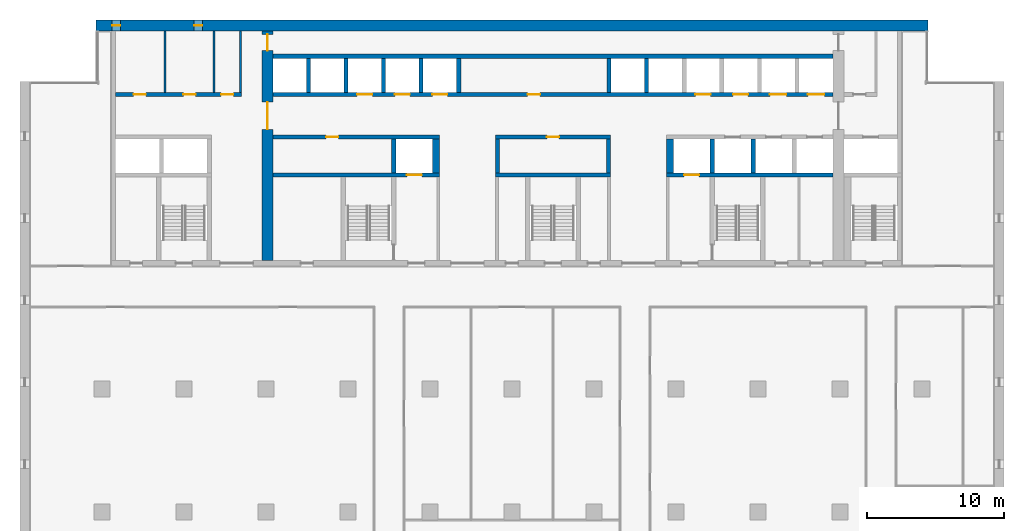
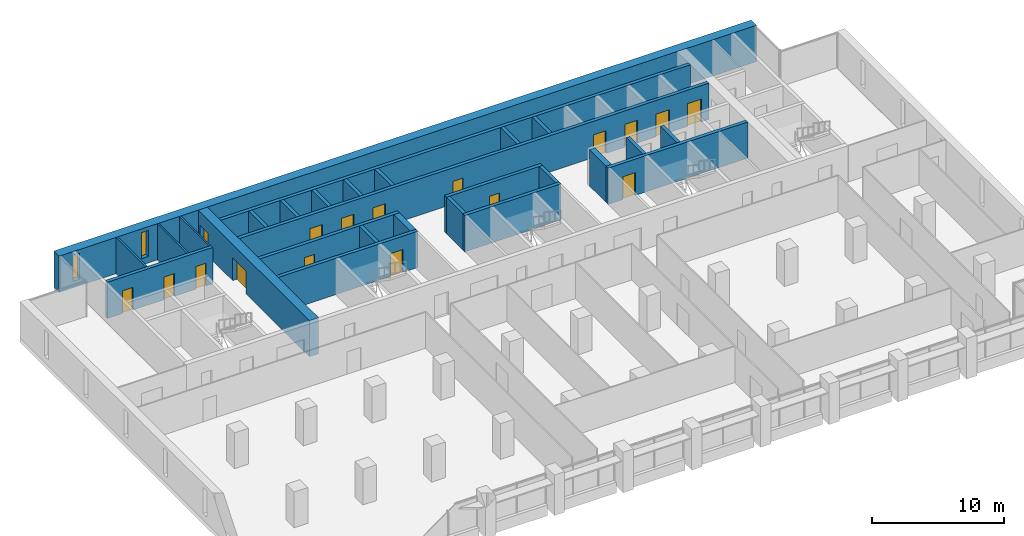
# One storey, part 10 of 15: 27 walls, 17 doors, 2 windows, 19 openings.
"""IFC4 building model written with IfcOpenShell, lengths in metres."""

from ifc_helpers import new_model, si_unit, direction, frame, frame_2d, origin, place, context, subcontext, project, spatial, rectangle, extrude, material, layer, layer_set, type_object, element, fill, save


model = new_model("IFC4")

# Units and contexts
model_context = context("Model", 3, precision=1e-05, world=origin(), true_north=direction((0.0, 1.0)))
body_context = subcontext(model_context, "Body", "Model", "MODEL_VIEW")
ifc_project = project(units=[si_unit("LENGTHUNIT", "METRE"), si_unit("AREAUNIT", "SQUARE_METRE"), si_unit("VOLUMEUNIT", "CUBIC_METRE"), si_unit("PLANEANGLEUNIT", "RADIAN"), si_unit("MASSUNIT", "GRAM", prefix="KILO")], contexts=[model_context])

# Site, building, storey
site_placement = place(None, origin())
site = spatial("IfcSite", under=ifc_project, at=site_placement, CompositionType="ELEMENT")
building_placement = place(site_placement, origin())
building = spatial("IfcBuilding", under=site, at=building_placement, Name="Calvaro Tower", CompositionType="ELEMENT")
storey_placement = place(building_placement, frame((0.0, 0.0, 151.25)))
storey = spatial("IfcBuildingStorey", under=building, at=storey_placement, Name="L38", CompositionType="ELEMENT", Elevation=151.25)

# Walls
ifc_material_1 = material(Name="Blockwork partition", Category="masonry")
ifc_layer_1 = layer(ifc_material_1, 0.14990234375)
ifc_layer_set_1 = layer_set([ifc_layer_1], Name="Blockwork partition")
wall_type_1 = type_object("IfcWallType", Name="Core partition 150 EI 60", PredefinedType="PARTITIONING", material=ifc_layer_set_1)
for number, where, z_axis, x_axis, name in (
    (1, (10.60009765625, 40.699951171875, 0.0), (0.0, 0.0, 1.0), (0.0, 1.0, 0.0), "Core partition"),
    (2, (14.199951171875, 40.699951171875, 0.0), (0.0, 0.0, 1.0), (0.0, 1.0, 0.0), "Core partition"),
):
    element("IfcWall", number, at=place(storey_placement, frame(where, z_axis=z_axis, x_axis=x_axis)), inside=storey, type_object=wall_type_1, Name=name, PredefinedType="PARTITIONING", context=body_context, shape_type="SweptSolid", body=[
        extrude(rectangle(XDim=4.5, YDim=0.14990234375, at=frame_2d((2.25, 0.0))), origin(), (0.0, 0.0, 1.0), 3.35009765625),
    ])
ifc_material_2 = material(Name="Blockwork partition", Category="masonry")
ifc_layer_2 = layer(ifc_material_2, 0.14990234375)
ifc_layer_set_2 = layer_set([ifc_layer_2], Name="Blockwork partition")
wall_type_2 = type_object("IfcWallType", Name="Core partition 150 REI 120", PredefinedType="PARTITIONING", material=ifc_layer_set_2)
wall_1_placement = place(storey_placement, frame((16.125, 40.699951171875, 0.0), z_axis=(0.0, 0.0, 1.0), x_axis=(0.0, 1.0, 0.0)))
element("IfcWall", 3, at=wall_1_placement, inside=storey, type_object=wall_type_2, Name="Core partition", PredefinedType="PARTITIONING", context=body_context, shape_type="SweptSolid", body=[
    extrude(rectangle(XDim=4.5, YDim=0.14990234375, at=frame_2d((2.25, 0.0))), origin(), (0.0, 0.0, 1.0), 3.35009765625),
])

# Wall, openings, doors
ifc_material_3 = material(Name="Blockwork partition", Category="masonry")
ifc_layer_3 = layer(ifc_material_3, 0.300048828125)
ifc_layer_set_3 = layer_set([ifc_layer_3], Name="Blockwork partition")
wall_type_3 = type_object("IfcWallType", Name="Core partition 300 REI 120", PredefinedType="PARTITIONING", material=ifc_layer_set_3)
wall_2_placement = place(storey_placement, frame((7.0, 40.550048828125, 0.0), z_axis=(0.0, 0.0, 1.0), x_axis=(1.0, 0.0, 0.0)))
wall_2 = element("IfcWall", 4, at=wall_2_placement, inside=storey, type_object=wall_type_3, Name="Core partition", PredefinedType="PARTITIONING", context=body_context, shape_type="SweptSolid", body=[
    extrude(rectangle(XDim=9.199951171875, YDim=0.300048828125, at=frame_2d((4.60009765625, 0.0))), origin(), (0.0, 0.0, 1.0), 3.35009765625),
])
opening_1_placement = place(wall_2_placement, frame((1.3125, 0.0, 0.0)))
opening_1 = element("IfcOpeningElement", 5, at=opening_1_placement, cuts=wall_2, Name="Opening RD9", PredefinedType="OPENING", context=body_context, shape_type="SweptSolid", body=[
    extrude(rectangle(XDim=0.89990234375, YDim=2.10009765625, at=frame_2d((0.449951171875, 1.050048828125))), frame((0.0, 0.159912109375, 0.0), z_axis=(0.0, -1.0, 0.0), x_axis=(1.0, 0.0, 0.0)), (0.0, 0.0, 1.0), 0.320068359375),
])
opening_2_placement = place(wall_2_placement, frame((4.949951171875, 0.0, 0.0)))
opening_2 = element("IfcOpeningElement", 6, at=opening_2_placement, cuts=wall_2, Name="Opening RD9", PredefinedType="OPENING", context=body_context, shape_type="SweptSolid", body=[
    extrude(rectangle(XDim=0.89990234375, YDim=2.10009765625, at=frame_2d((0.449951171875, 1.050048828125))), frame((0.0, 0.159912109375, 0.0), z_axis=(0.0, -1.0, 0.0), x_axis=(1.0, 0.0, 0.0)), (0.0, 0.0, 1.0), 0.320068359375),
])
opening_3_placement = place(wall_2_placement, frame((7.71240234375, 0.0, 0.0)))
opening_3 = element("IfcOpeningElement", 7, at=opening_3_placement, cuts=wall_2, Name="Opening RD9", PredefinedType="OPENING", context=body_context, shape_type="SweptSolid", body=[
    extrude(rectangle(XDim=0.89990234375, YDim=2.10009765625, at=frame_2d((0.449951171875, 1.050048828125))), frame((0.0, 0.159912109375, 0.0), z_axis=(0.0, -1.0, 0.0), x_axis=(1.0, 0.0, 0.0)), (0.0, 0.0, 1.0), 0.320068359375),
])
ifc_material_4 = material(Name="Steel door set", Category="steel")
door_type_1 = type_object("IfcDoorType", Name="Room door 900", OperationType="SINGLE_SWING_LEFT", PredefinedType="DOOR", material=ifc_material_4)
door_1_placement = place(opening_1_placement, origin())
door_1 = element("IfcDoor", 8, at=door_1_placement, inside=storey, type_object=door_type_1, Name="Room door", OperationType="SINGLE_SWING_LEFT", OverallHeight=2.10009765625, OverallWidth=0.89990234375, PredefinedType="DOOR", context=body_context, shape_type="SweptSolid", body=[
    extrude(rectangle(XDim=0.89990234375, YDim=2.10009765625, at=frame_2d((0.449951171875, 1.050048828125))), frame((0.0, 0.02490234375, 0.0), z_axis=(0.0, -1.0, 0.0), x_axis=(1.0, 0.0, 0.0)), (0.0, 0.0, 1.0), 0.050048828125),
])
fill(opening_1, door_1)
door_2_placement = place(opening_2_placement, origin())
door_2 = element("IfcDoor", 9, at=door_2_placement, inside=storey, type_object=door_type_1, Name="Room door", OperationType="SINGLE_SWING_LEFT", OverallHeight=2.10009765625, OverallWidth=0.89990234375, PredefinedType="DOOR", context=body_context, shape_type="SweptSolid", body=[
    extrude(rectangle(XDim=0.89990234375, YDim=2.10009765625, at=frame_2d((0.449951171875, 1.050048828125))), frame((0.0, 0.02490234375, 0.0), z_axis=(0.0, -1.0, 0.0), x_axis=(1.0, 0.0, 0.0)), (0.0, 0.0, 1.0), 0.050048828125),
])
fill(opening_2, door_2)
door_3_placement = place(opening_3_placement, origin())
door_3 = element("IfcDoor", 10, at=door_3_placement, inside=storey, type_object=door_type_1, Name="Room door", OperationType="SINGLE_SWING_LEFT", OverallHeight=2.10009765625, OverallWidth=0.89990234375, PredefinedType="DOOR", context=body_context, shape_type="SweptSolid", body=[
    extrude(rectangle(XDim=0.89990234375, YDim=2.10009765625, at=frame_2d((0.449951171875, 1.050048828125))), frame((0.0, 0.02490234375, 0.0), z_axis=(0.0, -1.0, 0.0), x_axis=(1.0, 0.0, 0.0)), (0.0, 0.0, 1.0), 0.050048828125),
])
fill(opening_3, door_3)

# Wall, opening, door
ifc_material_5 = material(Name="Concrete C60/75", Category="concrete")
ifc_layer_4 = layer(ifc_material_5, 0.300048828125)
ifc_layer_set_4 = layer_set([ifc_layer_4], Name="Concrete C60/75")
wall_type_4 = type_object("IfcWallType", Name="Core wall C60/75 300", PredefinedType="SHEAR", material=ifc_layer_set_4)
wall_3_placement = place(storey_placement, frame((18.5, 34.64990234375, 0.0), z_axis=(0.0, 0.0, 1.0), x_axis=(1.0, 0.0, 0.0)))
wall_3 = element("IfcWall", 11, at=wall_3_placement, inside=storey, type_object=wall_type_4, Name="Core wall, lift shaft", PredefinedType="SHEAR", context=body_context, shape_type="SweptSolid", body=[
    extrude(rectangle(XDim=12.199951171875, YDim=0.300048828125, at=frame_2d((6.10009765625, 0.0))), origin(), (0.0, 0.0, 1.0), 3.35009765625),
])
opening_4_placement = place(wall_3_placement, frame((9.800048828125, 0.0, 0.0)))
opening_4 = element("IfcOpeningElement", 12, at=opening_4_placement, cuts=wall_3, Name="Opening FF1", PredefinedType="OPENING", context=body_context, shape_type="SweptSolid", body=[
    extrude(rectangle(XDim=1.10009765625, YDim=2.10009765625, at=frame_2d((0.550048828125, 1.050048828125))), frame((0.0, 0.159912109375, 0.0), z_axis=(0.0, -1.0, 0.0), x_axis=(1.0, 0.0, 0.0)), (0.0, 0.0, 1.0), 0.320068359375),
])
ifc_material_6 = material(Name="Stainless steel", Category="steel")
door_type_2 = type_object("IfcDoorType", Name="Landing door 1100 E 60", OperationType="SLIDING_TO_LEFT", PredefinedType="DOOR", material=ifc_material_6)
door_4_placement = place(opening_4_placement, origin())
door_4 = element("IfcDoor", 13, at=door_4_placement, inside=storey, type_object=door_type_2, Name="Landing door FF1", OperationType="SLIDING_TO_LEFT", OverallHeight=2.10009765625, OverallWidth=1.10009765625, PredefinedType="DOOR", context=body_context, shape_type="SweptSolid", body=[
    extrude(rectangle(XDim=1.10009765625, YDim=2.10009765625, at=frame_2d((0.550048828125, 1.050048828125))), frame((0.0, 0.02490234375, 0.0), z_axis=(0.0, -1.0, 0.0), x_axis=(1.0, 0.0, 0.0)), (0.0, 0.0, 1.0), 0.050048828125),
])
fill(opening_4, door_4)

# Wall
wall_4_placement = place(storey_placement, frame((34.800048828125, 34.64990234375, 0.0), z_axis=(0.0, 0.0, 1.0), x_axis=(1.0, 0.0, 0.0)))
element("IfcWall", 14, at=wall_4_placement, inside=storey, type_object=wall_type_4, Name="Core wall, lift shaft", PredefinedType="SHEAR", context=body_context, shape_type="SweptSolid", body=[
    extrude(rectangle(XDim=8.39990234375, YDim=0.300048828125, at=frame_2d((4.199951171875, 0.0))), origin(), (0.0, 0.0, 1.0), 3.35009765625),
])

# Wall, opening, door
wall_5_placement = place(storey_placement, frame((47.300048828125, 34.64990234375, 0.0), z_axis=(0.0, 0.0, 1.0), x_axis=(1.0, 0.0, 0.0)))
wall_5 = element("IfcWall", 15, at=wall_5_placement, inside=storey, type_object=wall_type_4, Name="Core wall, lift shaft", PredefinedType="SHEAR", context=body_context, shape_type="SweptSolid", body=[
    extrude(rectangle(XDim=12.199951171875, YDim=0.300048828125, at=frame_2d((6.10009765625, 0.0))), origin(), (0.0, 0.0, 1.0), 3.35009765625),
])
opening_5_placement = place(wall_5_placement, frame((1.300048828125, 0.0, 0.0)))
opening_5 = element("IfcOpeningElement", 16, at=opening_5_placement, cuts=wall_5, Name="Opening FF2", PredefinedType="OPENING", context=body_context, shape_type="SweptSolid", body=[
    extrude(rectangle(XDim=1.10009765625, YDim=2.10009765625, at=frame_2d((0.550048828125, 1.050048828125))), frame((0.0, 0.159912109375, 0.0), z_axis=(0.0, -1.0, 0.0), x_axis=(1.0, 0.0, 0.0)), (0.0, 0.0, 1.0), 0.320068359375),
])
door_5_placement = place(opening_5_placement, origin())
door_5 = element("IfcDoor", 17, at=door_5_placement, inside=storey, type_object=door_type_2, Name="Landing door FF2", OperationType="SLIDING_TO_LEFT", OverallHeight=2.10009765625, OverallWidth=1.10009765625, PredefinedType="DOOR", context=body_context, shape_type="SweptSolid", body=[
    extrude(rectangle(XDim=1.10009765625, YDim=2.10009765625, at=frame_2d((0.550048828125, 1.050048828125))), frame((0.0, 0.02490234375, 0.0), z_axis=(0.0, -1.0, 0.0), x_axis=(1.0, 0.0, 0.0)), (0.0, 0.0, 1.0), 0.050048828125),
])
fill(opening_5, door_5)

wall_6_placement = place(storey_placement, frame((30.699951171875, 37.449951171875, 0.0), z_axis=(0.0, 0.0, 1.0), x_axis=(-1.0, 0.0, 0.0)))
wall_6 = element("IfcWall", 18, at=wall_6_placement, inside=storey, type_object=wall_type_4, Name="Core wall, bay", PredefinedType="SHEAR", context=body_context, shape_type="SweptSolid", body=[
    extrude(rectangle(XDim=12.199951171875, YDim=0.300048828125, at=frame_2d((6.10009765625, 0.0))), origin(), (0.0, 0.0, 1.0), 3.35009765625),
])
opening_6_placement = place(wall_6_placement, frame((7.39990234375, 0.0, 0.0)))
opening_6 = element("IfcOpeningElement", 19, at=opening_6_placement, cuts=wall_6, Name="Opening RD9E", PredefinedType="OPENING", context=body_context, shape_type="SweptSolid", body=[
    extrude(rectangle(XDim=0.89990234375, YDim=2.10009765625, at=frame_2d((0.449951171875, 1.050048828125))), frame((0.0, 0.159912109375, 0.0), z_axis=(0.0, -1.0, 0.0), x_axis=(1.0, 0.0, 0.0)), (0.0, 0.0, 1.0), 0.320068359375),
])
ifc_material_7 = material(Name="Steel door set", Category="steel")
door_type_3 = type_object("IfcDoorType", Name="Room door 900 FD60", OperationType="SINGLE_SWING_LEFT", PredefinedType="DOOR", material=ifc_material_7)
door_6_placement = place(opening_6_placement, origin())
door_6 = element("IfcDoor", 20, at=door_6_placement, inside=storey, type_object=door_type_3, Name="Room door", OperationType="SINGLE_SWING_LEFT", OverallHeight=2.10009765625, OverallWidth=0.89990234375, PredefinedType="DOOR", context=body_context, shape_type="SweptSolid", body=[
    extrude(rectangle(XDim=0.89990234375, YDim=2.10009765625, at=frame_2d((0.449951171875, 1.050048828125))), frame((0.0, 0.02490234375, 0.0), z_axis=(0.0, -1.0, 0.0), x_axis=(1.0, 0.0, 0.0)), (0.0, 0.0, 1.0), 0.050048828125),
])
fill(opening_6, door_6)

wall_7_placement = place(storey_placement, frame((43.199951171875, 37.449951171875, 0.0), z_axis=(0.0, 0.0, 1.0), x_axis=(-1.0, 0.0, 0.0)))
wall_7 = element("IfcWall", 21, at=wall_7_placement, inside=storey, type_object=wall_type_4, Name="Core wall, bay", PredefinedType="SHEAR", context=body_context, shape_type="SweptSolid", body=[
    extrude(rectangle(XDim=8.39990234375, YDim=0.300048828125, at=frame_2d((4.199951171875, 0.0))), origin(), (0.0, 0.0, 1.0), 3.35009765625),
])
opening_7_placement = place(wall_7_placement, frame((3.75, 0.0, 0.0)))
opening_7 = element("IfcOpeningElement", 22, at=opening_7_placement, cuts=wall_7, Name="Opening RD9E", PredefinedType="OPENING", context=body_context, shape_type="SweptSolid", body=[
    extrude(rectangle(XDim=0.89990234375, YDim=2.10009765625, at=frame_2d((0.449951171875, 1.050048828125))), frame((0.0, 0.159912109375, 0.0), z_axis=(0.0, -1.0, 0.0), x_axis=(1.0, 0.0, 0.0)), (0.0, 0.0, 1.0), 0.320068359375),
])
door_7_placement = place(opening_7_placement, origin())
door_7 = element("IfcDoor", 23, at=door_7_placement, inside=storey, type_object=door_type_3, Name="Room door", OperationType="SINGLE_SWING_RIGHT", OverallHeight=2.10009765625, OverallWidth=0.89990234375, PredefinedType="DOOR", context=body_context, shape_type="SweptSolid", body=[
    extrude(rectangle(XDim=0.89990234375, YDim=2.10009765625, at=frame_2d((0.449951171875, 1.050048828125))), frame((0.0, 0.02490234375, 0.0), z_axis=(0.0, -1.0, 0.0), x_axis=(1.0, 0.0, 0.0)), (0.0, 0.0, 1.0), 0.050048828125),
])
fill(opening_7, door_7)

# Walls
for number, where, z_axis, x_axis, name in (
    (24, (27.35009765625, 34.800048828125, 0.0), (0.0, 0.0, 1.0), (0.0, 1.0, 0.0), "Core wall, lift shaft"),
    (25, (34.949951171875, 34.800048828125, 0.0), (0.0, 0.0, 1.0), (0.0, 1.0, 0.0), "Core wall, lift shaft"),
    (26, (43.050048828125, 34.800048828125, 0.0), (0.0, 0.0, 1.0), (0.0, 1.0, 0.0), "Core wall, lift shaft"),
    (27, (50.64990234375, 34.800048828125, 0.0), (0.0, 0.0, 1.0), (0.0, 1.0, 0.0), "Core wall, lift shaft"),
):
    element("IfcWall", number, at=place(storey_placement, frame(where, z_axis=z_axis, x_axis=x_axis)), inside=storey, type_object=wall_type_4, Name=name, PredefinedType="SHEAR", context=body_context, shape_type="SweptSolid", body=[
        extrude(rectangle(XDim=2.5, YDim=0.300048828125, at=frame_2d((1.25, 0.0))), origin(), (0.0, 0.0, 1.0), 3.35009765625),
    ])

# Wall, openings, doors
wall_8_placement = place(storey_placement, frame((18.5, 40.550048828125, 0.0), z_axis=(0.0, 0.0, 1.0), x_axis=(1.0, 0.0, 0.0)))
wall_8 = element("IfcWall", 28, at=wall_8_placement, inside=storey, type_object=wall_type_4, Name="Core wall, bay", PredefinedType="SHEAR", context=body_context, shape_type="SweptSolid", body=[
    extrude(rectangle(XDim=41.0, YDim=0.300048828125, at=frame_2d((20.5, 0.0))), origin(), (0.0, 0.0, 1.0), 3.35009765625),
])
opening_8_placement = place(wall_8_placement, frame((18.64990234375, 0.0, 0.0)))
opening_8 = element("IfcOpeningElement", 29, at=opening_8_placement, cuts=wall_8, Name="Opening RD9E", PredefinedType="OPENING", context=body_context, shape_type="SweptSolid", body=[
    extrude(rectangle(XDim=0.89990234375, YDim=2.10009765625, at=frame_2d((0.449951171875, 1.050048828125))), frame((0.0, 0.159912109375, 0.0), z_axis=(0.0, -1.0, 0.0), x_axis=(1.0, 0.0, 0.0)), (0.0, 0.0, 1.0), 0.320068359375),
])
opening_9_placement = place(wall_8_placement, frame((6.175048828125, 0.0, 0.0)))
opening_9 = element("IfcOpeningElement", 30, at=opening_9_placement, cuts=wall_8, Name="Opening MR4", PredefinedType="OPENING", context=body_context, shape_type="SweptSolid", body=[
    extrude(rectangle(XDim=1.10009765625, YDim=2.10009765625, at=frame_2d((0.550048828125, 1.050048828125))), frame((0.0, 0.159912109375, 0.0), z_axis=(0.0, -1.0, 0.0), x_axis=(1.0, 0.0, 0.0)), (0.0, 0.0, 1.0), 0.320068359375),
])
opening_10_placement = place(wall_8_placement, frame((8.925048828125, 0.0, 0.0)))
opening_10 = element("IfcOpeningElement", 31, at=opening_10_placement, cuts=wall_8, Name="Opening MR5", PredefinedType="OPENING", context=body_context, shape_type="SweptSolid", body=[
    extrude(rectangle(XDim=1.10009765625, YDim=2.10009765625, at=frame_2d((0.550048828125, 1.050048828125))), frame((0.0, 0.159912109375, 0.0), z_axis=(0.0, -1.0, 0.0), x_axis=(1.0, 0.0, 0.0)), (0.0, 0.0, 1.0), 0.320068359375),
])
opening_11_placement = place(wall_8_placement, frame((11.675048828125, 0.0, 0.0)))
opening_11 = element("IfcOpeningElement", 32, at=opening_11_placement, cuts=wall_8, Name="Opening MR6", PredefinedType="OPENING", context=body_context, shape_type="SweptSolid", body=[
    extrude(rectangle(XDim=1.10009765625, YDim=2.10009765625, at=frame_2d((0.550048828125, 1.050048828125))), frame((0.0, 0.159912109375, 0.0), z_axis=(0.0, -1.0, 0.0), x_axis=(1.0, 0.0, 0.0)), (0.0, 0.0, 1.0), 0.320068359375),
])
opening_12_placement = place(wall_8_placement, frame((30.925048828125, 0.0, 0.0)))
opening_12 = element("IfcOpeningElement", 33, at=opening_12_placement, cuts=wall_8, Name="Opening MR7", PredefinedType="OPENING", context=body_context, shape_type="SweptSolid", body=[
    extrude(rectangle(XDim=1.10009765625, YDim=2.10009765625, at=frame_2d((0.550048828125, 1.050048828125))), frame((0.0, 0.159912109375, 0.0), z_axis=(0.0, -1.0, 0.0), x_axis=(1.0, 0.0, 0.0)), (0.0, 0.0, 1.0), 0.320068359375),
])
opening_13_placement = place(wall_8_placement, frame((33.675048828125, 0.0, 0.0)))
opening_13 = element("IfcOpeningElement", 34, at=opening_13_placement, cuts=wall_8, Name="Opening MR8", PredefinedType="OPENING", context=body_context, shape_type="SweptSolid", body=[
    extrude(rectangle(XDim=1.10009765625, YDim=2.10009765625, at=frame_2d((0.550048828125, 1.050048828125))), frame((0.0, 0.159912109375, 0.0), z_axis=(0.0, -1.0, 0.0), x_axis=(1.0, 0.0, 0.0)), (0.0, 0.0, 1.0), 0.320068359375),
])
opening_14_placement = place(wall_8_placement, frame((36.375, 0.0, 0.0)))
opening_14 = element("IfcOpeningElement", 35, at=opening_14_placement, cuts=wall_8, Name="Opening SV1", PredefinedType="OPENING", context=body_context, shape_type="SweptSolid", body=[
    extrude(rectangle(XDim=1.199951171875, YDim=2.10009765625, at=frame_2d((0.60009765625, 1.050048828125))), frame((0.0, 0.159912109375, 0.0), z_axis=(0.0, -1.0, 0.0), x_axis=(1.0, 0.0, 0.0)), (0.0, 0.0, 1.0), 0.320068359375),
])
opening_15_placement = place(wall_8_placement, frame((39.14990234375, 0.0, 0.0)))
opening_15 = element("IfcOpeningElement", 36, at=opening_15_placement, cuts=wall_8, Name="Opening SV2", PredefinedType="OPENING", context=body_context, shape_type="SweptSolid", body=[
    extrude(rectangle(XDim=1.199951171875, YDim=2.10009765625, at=frame_2d((0.60009765625, 1.050048828125))), frame((0.0, 0.159912109375, 0.0), z_axis=(0.0, -1.0, 0.0), x_axis=(1.0, 0.0, 0.0)), (0.0, 0.0, 1.0), 0.320068359375),
])
door_8_placement = place(opening_9_placement, origin())
door_8 = element("IfcDoor", 37, at=door_8_placement, inside=storey, type_object=door_type_2, Name="Landing door MR4", OperationType="SLIDING_TO_LEFT", OverallHeight=2.10009765625, OverallWidth=1.10009765625, PredefinedType="DOOR", context=body_context, shape_type="SweptSolid", body=[
    extrude(rectangle(XDim=1.10009765625, YDim=2.10009765625, at=frame_2d((0.550048828125, 1.050048828125))), frame((0.0, 0.02490234375, 0.0), z_axis=(0.0, -1.0, 0.0), x_axis=(1.0, 0.0, 0.0)), (0.0, 0.0, 1.0), 0.050048828125),
])
fill(opening_9, door_8)
door_9_placement = place(opening_10_placement, origin())
door_9 = element("IfcDoor", 38, at=door_9_placement, inside=storey, type_object=door_type_2, Name="Landing door MR5", OperationType="SLIDING_TO_LEFT", OverallHeight=2.10009765625, OverallWidth=1.10009765625, PredefinedType="DOOR", context=body_context, shape_type="SweptSolid", body=[
    extrude(rectangle(XDim=1.10009765625, YDim=2.10009765625, at=frame_2d((0.550048828125, 1.050048828125))), frame((0.0, 0.02490234375, 0.0), z_axis=(0.0, -1.0, 0.0), x_axis=(1.0, 0.0, 0.0)), (0.0, 0.0, 1.0), 0.050048828125),
])
fill(opening_10, door_9)
door_10_placement = place(opening_11_placement, origin())
door_10 = element("IfcDoor", 39, at=door_10_placement, inside=storey, type_object=door_type_2, Name="Landing door MR6", OperationType="SLIDING_TO_LEFT", OverallHeight=2.10009765625, OverallWidth=1.10009765625, PredefinedType="DOOR", context=body_context, shape_type="SweptSolid", body=[
    extrude(rectangle(XDim=1.10009765625, YDim=2.10009765625, at=frame_2d((0.550048828125, 1.050048828125))), frame((0.0, 0.02490234375, 0.0), z_axis=(0.0, -1.0, 0.0), x_axis=(1.0, 0.0, 0.0)), (0.0, 0.0, 1.0), 0.050048828125),
])
fill(opening_11, door_10)
door_11_placement = place(opening_12_placement, origin())
door_11 = element("IfcDoor", 40, at=door_11_placement, inside=storey, type_object=door_type_2, Name="Landing door MR7", OperationType="SLIDING_TO_LEFT", OverallHeight=2.10009765625, OverallWidth=1.10009765625, PredefinedType="DOOR", context=body_context, shape_type="SweptSolid", body=[
    extrude(rectangle(XDim=1.10009765625, YDim=2.10009765625, at=frame_2d((0.550048828125, 1.050048828125))), frame((0.0, 0.02490234375, 0.0), z_axis=(0.0, -1.0, 0.0), x_axis=(1.0, 0.0, 0.0)), (0.0, 0.0, 1.0), 0.050048828125),
])
fill(opening_12, door_11)
door_12_placement = place(opening_13_placement, origin())
door_12 = element("IfcDoor", 41, at=door_12_placement, inside=storey, type_object=door_type_2, Name="Landing door MR8", OperationType="SLIDING_TO_LEFT", OverallHeight=2.10009765625, OverallWidth=1.10009765625, PredefinedType="DOOR", context=body_context, shape_type="SweptSolid", body=[
    extrude(rectangle(XDim=1.10009765625, YDim=2.10009765625, at=frame_2d((0.550048828125, 1.050048828125))), frame((0.0, 0.02490234375, 0.0), z_axis=(0.0, -1.0, 0.0), x_axis=(1.0, 0.0, 0.0)), (0.0, 0.0, 1.0), 0.050048828125),
])
fill(opening_13, door_12)
ifc_material_8 = material(Name="Stainless steel", Category="steel")
door_type_4 = type_object("IfcDoorType", Name="Landing door 1200 E 60", OperationType="SLIDING_TO_LEFT", PredefinedType="DOOR", material=ifc_material_8)
door_13_placement = place(opening_14_placement, origin())
door_13 = element("IfcDoor", 42, at=door_13_placement, inside=storey, type_object=door_type_4, Name="Landing door SV1", OperationType="SLIDING_TO_LEFT", OverallHeight=2.10009765625, OverallWidth=1.199951171875, PredefinedType="DOOR", context=body_context, shape_type="SweptSolid", body=[
    extrude(rectangle(XDim=1.199951171875, YDim=2.10009765625, at=frame_2d((0.60009765625, 1.050048828125))), frame((0.0, 0.02490234375, 0.0), z_axis=(0.0, -1.0, 0.0), x_axis=(1.0, 0.0, 0.0)), (0.0, 0.0, 1.0), 0.050048828125),
])
fill(opening_14, door_13)
door_14_placement = place(opening_15_placement, origin())
door_14 = element("IfcDoor", 43, at=door_14_placement, inside=storey, type_object=door_type_4, Name="Landing door SV2", OperationType="SLIDING_TO_LEFT", OverallHeight=2.10009765625, OverallWidth=1.199951171875, PredefinedType="DOOR", context=body_context, shape_type="SweptSolid", body=[
    extrude(rectangle(XDim=1.199951171875, YDim=2.10009765625, at=frame_2d((0.60009765625, 1.050048828125))), frame((0.0, 0.02490234375, 0.0), z_axis=(0.0, -1.0, 0.0), x_axis=(1.0, 0.0, 0.0)), (0.0, 0.0, 1.0), 0.050048828125),
])
fill(opening_15, door_14)
door_15_placement = place(opening_8_placement, origin())
door_15 = element("IfcDoor", 44, at=door_15_placement, inside=storey, type_object=door_type_3, Name="Room door", OperationType="SINGLE_SWING_LEFT", OverallHeight=2.10009765625, OverallWidth=0.89990234375, PredefinedType="DOOR", context=body_context, shape_type="SweptSolid", body=[
    extrude(rectangle(XDim=0.89990234375, YDim=2.10009765625, at=frame_2d((0.449951171875, 1.050048828125))), frame((0.0, 0.02490234375, 0.0), z_axis=(0.0, -1.0, 0.0), x_axis=(1.0, 0.0, 0.0)), (0.0, 0.0, 1.0), 0.050048828125),
])
fill(opening_8, door_15)

# Walls
wall_9_placement = place(storey_placement, frame((18.5, 43.35009765625, 0.0), z_axis=(0.0, 0.0, 1.0), x_axis=(1.0, 0.0, 0.0)))
element("IfcWall", 45, at=wall_9_placement, inside=storey, type_object=wall_type_4, Name="Core wall, lift shaft", PredefinedType="SHEAR", context=body_context, shape_type="SweptSolid", body=[
    extrude(rectangle(XDim=41.0, YDim=0.300048828125, at=frame_2d((20.5, 0.0))), origin(), (0.0, 0.0, 1.0), 3.35009765625),
])
for number, where, z_axis, x_axis, name in (
    (46, (53.64990234375, 34.800048828125, 0.0), (0.0, 0.0, 1.0), (0.0, 1.0, 0.0), "Core wall, lift shaft"),
    (47, (21.10009765625, 40.699951171875, 0.0), (0.0, 0.0, 1.0), (0.0, 1.0, 0.0), "Core wall, lift shaft"),
    (48, (23.85009765625, 40.699951171875, 0.0), (0.0, 0.0, 1.0), (0.0, 1.0, 0.0), "Core wall, lift shaft"),
    (49, (26.60009765625, 40.699951171875, 0.0), (0.0, 0.0, 1.0), (0.0, 1.0, 0.0), "Core wall, lift shaft"),
    (50, (29.35009765625, 40.699951171875, 0.0), (0.0, 0.0, 1.0), (0.0, 1.0, 0.0), "Core wall, lift shaft"),
    (51, (32.10009765625, 40.699951171875, 0.0), (0.0, 0.0, 1.0), (0.0, 1.0, 0.0), "Core wall, lift shaft"),
    (52, (43.10009765625, 40.699951171875, 0.0), (0.0, 0.0, 1.0), (0.0, 1.0, 0.0), "Core wall, lift shaft"),
    (53, (45.85009765625, 40.699951171875, 0.0), (0.0, 0.0, 1.0), (0.0, 1.0, 0.0), "Core wall, lift shaft"),
):
    element("IfcWall", number, at=place(storey_placement, frame(where, z_axis=z_axis, x_axis=x_axis)), inside=storey, type_object=wall_type_4, Name=name, PredefinedType="SHEAR", context=body_context, shape_type="SweptSolid", body=[
        extrude(rectangle(XDim=2.5, YDim=0.300048828125, at=frame_2d((1.25, 0.0))), origin(), (0.0, 0.0, 1.0), 3.35009765625),
    ])
ifc_material_9 = material(Name="Concrete C60/75", Category="concrete")
ifc_layer_5 = layer(ifc_material_9, 0.5)
ifc_layer_set_5 = layer_set([ifc_layer_5], Name="Concrete C60/75")
wall_type_5 = type_object("IfcWallType", Name="Core wall C60/75 500", PredefinedType="SHEAR", material=ifc_layer_set_5)
for number, where, z_axis, x_axis, name in (
    (54, (30.449951171875, 34.800048828125, 0.0), (0.0, 0.0, 1.0), (0.0, 1.0, 0.0), "Core wall, lift shaft"),
    (55, (47.550048828125, 34.800048828125, 0.0), (0.0, 0.0, 1.0), (0.0, 1.0, 0.0), "Core wall, lift shaft"),
):
    element("IfcWall", number, at=place(storey_placement, frame(where, z_axis=z_axis, x_axis=x_axis)), inside=storey, type_object=wall_type_5, Name=name, PredefinedType="SHEAR", context=body_context, shape_type="SweptSolid", body=[
        extrude(rectangle(XDim=2.5, YDim=0.5, at=frame_2d((1.25, 0.0))), origin(), (0.0, 0.0, 1.0), 3.35009765625),
    ])

# Wall, openings, doors
ifc_material_10 = material(Name="Concrete C60/75", Category="concrete")
ifc_layer_6 = layer(ifc_material_10, 0.800048828125)
ifc_layer_set_6 = layer_set([ifc_layer_6], Name="Concrete C60/75")
wall_type_6 = type_object("IfcWallType", Name="Core wall C60/75 800", PredefinedType="SHEAR", material=ifc_layer_set_6)
wall_10_placement = place(storey_placement, frame((18.10009765625, 28.39990234375, 0.0), z_axis=(0.0, 0.0, 1.0), x_axis=(0.0, 1.0, 0.0)))
wall_10 = element("IfcWall", 56, at=wall_10_placement, inside=storey, type_object=wall_type_6, Name="Core wall, cross shear wall", PredefinedType="SHEAR", context=body_context, shape_type="SweptSolid", body=[
    extrude(rectangle(XDim=16.800048828125, YDim=0.800048828125, at=frame_2d((8.39990234375, 0.0))), origin(), (0.0, 0.0, 1.0), 3.35009765625),
])
opening_16_placement = place(wall_10_placement, frame((9.60009765625, 0.0, 0.0)))
opening_16 = element("IfcOpeningElement", 57, at=opening_16_placement, cuts=wall_10, Name="Opening DD20D", PredefinedType="OPENING", context=body_context, shape_type="SweptSolid", body=[
    extrude(rectangle(XDim=2.0, YDim=2.10009765625, at=frame_2d((1.0, 1.050048828125))), frame((0.0, 0.409912109375, 0.0), z_axis=(0.0, -1.0, 0.0), x_axis=(1.0, 0.0, 0.0)), (0.0, 0.0, 1.0), 0.820068359375),
])
opening_17_placement = place(wall_10_placement, frame((15.35009765625, 0.0, 0.0)))
opening_17 = element("IfcOpeningElement", 58, at=opening_17_placement, cuts=wall_10, Name="Opening FD12C", PredefinedType="OPENING", context=body_context, shape_type="SweptSolid", body=[
    extrude(rectangle(XDim=1.199951171875, YDim=2.10009765625, at=frame_2d((0.60009765625, 1.050048828125))), frame((0.0, 0.409912109375, 0.0), z_axis=(0.0, -1.0, 0.0), x_axis=(1.0, 0.0, 0.0)), (0.0, 0.0, 1.0), 0.820068359375),
])
ifc_material_11 = material(Name="Steel door set", Category="steel")
door_type_5 = type_object("IfcDoorType", Name="Fire door 1200 FD30", OperationType="SINGLE_SWING_LEFT", PredefinedType="DOOR", material=ifc_material_11)
door_16_placement = place(opening_17_placement, origin())
door_16 = element("IfcDoor", 59, at=door_16_placement, inside=storey, type_object=door_type_5, Name="Fire door", OperationType="SINGLE_SWING_LEFT", OverallHeight=2.10009765625, OverallWidth=1.199951171875, PredefinedType="DOOR", context=body_context, shape_type="SweptSolid", body=[
    extrude(rectangle(XDim=1.199951171875, YDim=2.10009765625, at=frame_2d((0.60009765625, 1.050048828125))), frame((0.0, 0.02490234375, 0.0), z_axis=(0.0, -1.0, 0.0), x_axis=(1.0, 0.0, 0.0)), (0.0, 0.0, 1.0), 0.050048828125),
])
fill(opening_17, door_16)
ifc_material_12 = material(Name="Steel door set", Category="steel")
door_type_6 = type_object("IfcDoorType", Name="Lobby double door 2000 FD30S", OperationType="DOUBLE_DOOR_SINGLE_SWING", PredefinedType="DOOR", material=ifc_material_12)
door_17_placement = place(opening_16_placement, origin())
door_17 = element("IfcDoor", 60, at=door_17_placement, inside=storey, type_object=door_type_6, Name="Lobby double door", OperationType="DOUBLE_DOOR_SINGLE_SWING", OverallHeight=2.10009765625, OverallWidth=2.0, PredefinedType="DOOR", context=body_context, shape_type="SweptSolid", body=[
    extrude(rectangle(XDim=2.0, YDim=2.10009765625, at=frame_2d((1.0, 1.050048828125))), frame((0.0, 0.02490234375, 0.0), z_axis=(0.0, -1.0, 0.0), x_axis=(1.0, 0.0, 0.0)), (0.0, 0.0, 1.0), 0.050048828125),
])
fill(opening_16, door_17)

# Wall, openings, windows
ifc_material_13 = material(Name="Concrete C60/75", Category="concrete")
ifc_layer_7 = layer(ifc_material_13, 0.800048828125)
ifc_layer_set_7 = layer_set([ifc_layer_7], Name="Concrete C60/75")
wall_type_7 = type_object("IfcWallType", Name="Rear core wall 800 C60/75", PredefinedType="SHEAR", material=ifc_layer_set_7)
wall_11_placement = place(storey_placement, frame((5.550048828125, 45.60009765625, 0.0), z_axis=(0.0, 0.0, 1.0), x_axis=(1.0, 0.0, 0.0)))
wall_11 = element("IfcWall", 61, at=wall_11_placement, inside=storey, type_object=wall_type_7, Name="North core wall", PredefinedType="SHEAR", context=body_context, shape_type="SweptSolid", body=[
    extrude(rectangle(XDim=60.89990234375, YDim=0.800048828125, at=frame_2d((30.449951171875, 0.0))), origin(), (0.0, 0.0, 1.0), 3.35009765625),
])
opening_18_placement = place(wall_11_placement, frame((1.199951171875, 0.0, 0.60009765625)))
opening_18 = element("IfcOpeningElement", 62, at=opening_18_placement, cuts=wall_11, Name="Opening WN01", PredefinedType="OPENING", context=body_context, shape_type="SweptSolid", body=[
    extrude(rectangle(XDim=0.60009765625, YDim=2.39990234375, at=frame_2d((0.300048828125, 1.199951171875))), frame((0.0, 0.409912109375, 0.0), z_axis=(0.0, -1.0, 0.0), x_axis=(1.0, 0.0, 0.0)), (0.0, 0.0, 1.0), 0.820068359375),
])
opening_19_placement = place(wall_11_placement, frame((7.199951171875, 0.0, 0.60009765625)))
opening_19 = element("IfcOpeningElement", 63, at=opening_19_placement, cuts=wall_11, Name="Opening WN02", PredefinedType="OPENING", context=body_context, shape_type="SweptSolid", body=[
    extrude(rectangle(XDim=0.60009765625, YDim=2.39990234375, at=frame_2d((0.300048828125, 1.199951171875))), frame((0.0, 0.409912109375, 0.0), z_axis=(0.0, -1.0, 0.0), x_axis=(1.0, 0.0, 0.0)), (0.0, 0.0, 1.0), 0.820068359375),
])
ifc_material_14 = material(Name="Glass", Category="glass")
window_type = type_object("IfcWindowType", Name="Slit window 600 x 2400", PartitioningType="SINGLE_PANEL", PredefinedType="WINDOW", material=ifc_material_14)
window_1_placement = place(opening_18_placement, origin())
window_1 = element("IfcWindow", 64, at=window_1_placement, inside=storey, type_object=window_type, Name="Window WN01", OverallHeight=2.39990234375, OverallWidth=0.60009765625, PartitioningType="SINGLE_PANEL", PredefinedType="WINDOW", context=body_context, shape_type="SweptSolid", body=[
    extrude(rectangle(XDim=0.60009765625, YDim=2.39990234375, at=frame_2d((0.300048828125, 1.199951171875))), frame((0.0, 0.030029296875, 0.0), z_axis=(0.0, -1.0, 0.0), x_axis=(1.0, 0.0, 0.0)), (0.0, 0.0, 1.0), 0.06005859375),
])
fill(opening_18, window_1)
window_2_placement = place(opening_19_placement, origin())
window_2 = element("IfcWindow", 65, at=window_2_placement, inside=storey, type_object=window_type, Name="Window WN02", OverallHeight=2.39990234375, OverallWidth=0.60009765625, PartitioningType="SINGLE_PANEL", PredefinedType="WINDOW", context=body_context, shape_type="SweptSolid", body=[
    extrude(rectangle(XDim=0.60009765625, YDim=2.39990234375, at=frame_2d((0.300048828125, 1.199951171875))), frame((0.0, 0.030029296875, 0.0), z_axis=(0.0, -1.0, 0.0), x_axis=(1.0, 0.0, 0.0)), (0.0, 0.0, 1.0), 0.06005859375),
])
fill(opening_19, window_2)

save(model, "model.ifc")
